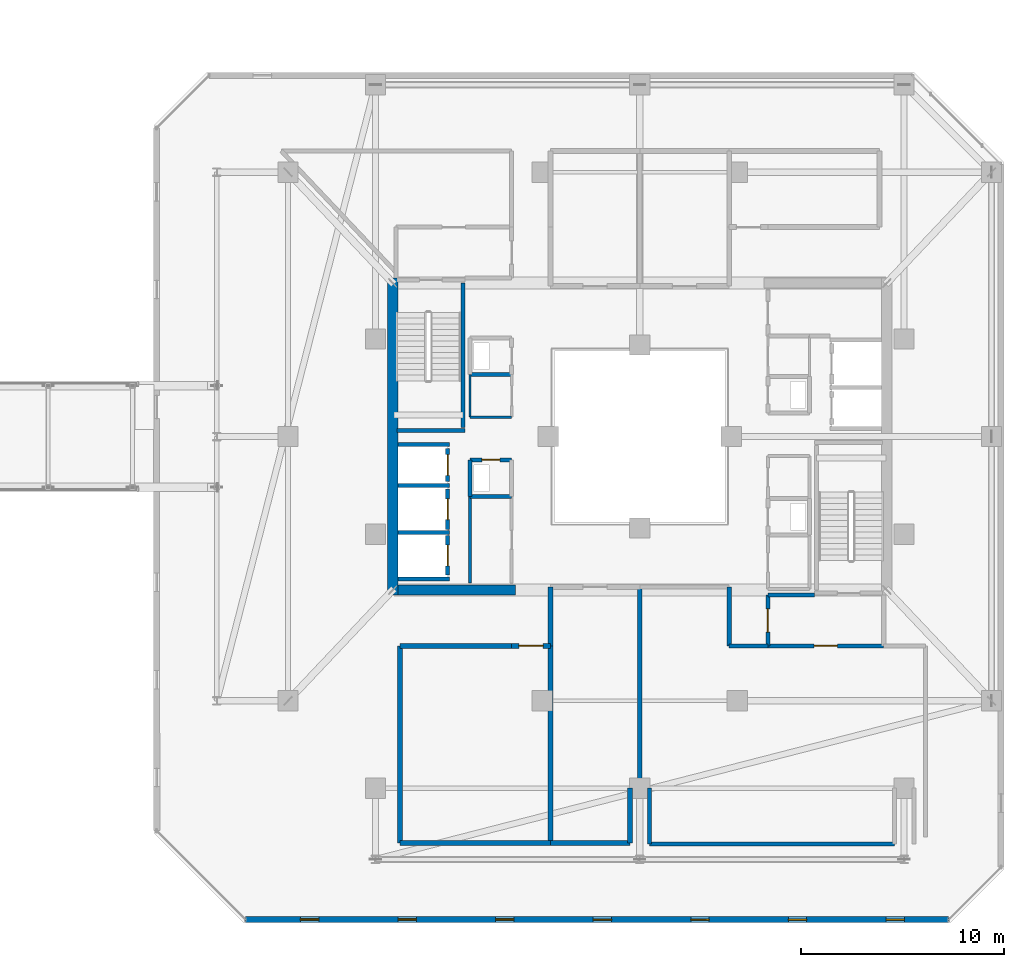
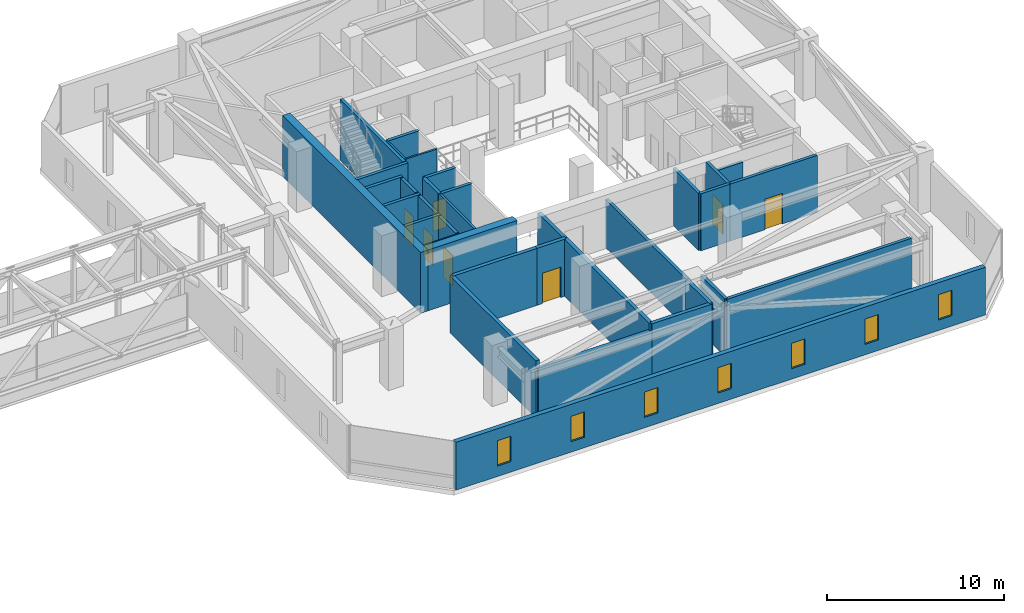
# One storey, part 37 of 42: 35 walls, 7 doors, 7 windows, 14 openings.
"""IFC4 building model written with IfcOpenShell, lengths in metres."""

import ifcopenshell
import ifcopenshell.guid

model = None  # the IFC model being written
_history = None  # IfcOwnerHistory: only IFC2X3 demands one
_inside = {}  # id of a spatial element -> (the spatial element, [elements in it])
_under = {}  # id of a project, library or spatial element -> (it, [spatial elements below it])
_declared = {}  # id of a project -> (the project, [libraries it declares])
_typed = {}  # id of a type object -> (the type object, [elements of that type])
_made_of = {}  # id of a material, layer set ... -> (it, [elements and type objects made of it])


def new_model(schema):
    """Start an empty IFC model of exactly this schema.

    Asked for "IFC4X3", IfcOpenShell would pick the latest addendum, in which some entities
    have other attributes; the version numbers below select the first issue.
    IFC2X3 requires an IfcOwnerHistory on every rooted entity: one is made here for all.
    """
    global model, _history
    if schema == "IFC4X3":
        model = ifcopenshell.file(schema_version=(4, 3, 0, 0))
    else:
        model = ifcopenshell.file(schema=schema)
    _inside.clear()
    _under.clear()
    _declared.clear()
    _typed.clear()
    _made_of.clear()
    _history = None
    if model.schema == "IFC2X3":
        org = make("IfcOrganization", Name="unknown")
        user = make(
            "IfcPersonAndOrganization",
            ThePerson=make("IfcPerson", FamilyName="unknown"),
            TheOrganization=org,
        )
        app = make(
            "IfcApplication",
            ApplicationDeveloper=org,
            Version="unknown",
            ApplicationFullName="unknown",
            ApplicationIdentifier="unknown",
        )
        _history = make(
            "IfcOwnerHistory",
            OwningUser=user,
            OwningApplication=app,
            ChangeAction="ADDED",
            CreationDate=0,
        )
    return model


def make(cls, **values):
    """One entity of the class cls with the attributes given. An attribute that is None is left unset."""
    return model.create_entity(
        cls, **{name: value for name, value in values.items() if value is not None}
    )


def rooted(cls, **values):
    """An entity with a GlobalId (a new one), such as an element, a storey or a relation."""
    return make(cls, GlobalId=ifcopenshell.guid.new(), OwnerHistory=_history, **values)


def si_unit(unit_type, name, prefix=None):
    """IfcSIUnit, for example si_unit("LENGTHUNIT", "METRE", prefix="MILLI")."""
    return make("IfcSIUnit", UnitType=unit_type, Prefix=prefix, Name=name)


def assignment(units):
    """IfcUnitAssignment: the units of a project."""
    return None if units is None else make("IfcUnitAssignment", Units=units)


def point(xyz):
    """IfcCartesianPoint."""
    return None if xyz is None else make("IfcCartesianPoint", Coordinates=xyz)


def direction(xyz):
    """IfcDirection."""
    return None if xyz is None else make("IfcDirection", DirectionRatios=xyz)


def frame(location, z_axis=None, x_axis=None):
    """IfcAxis2Placement3D, a coordinate frame: its origin and axes. An axis left out is left unset."""
    return make(
        "IfcAxis2Placement3D",
        Location=point(location),
        Axis=direction(z_axis),
        RefDirection=direction(x_axis),
    )


def frame_2d(location, x_axis=None):
    """IfcAxis2Placement2D, a coordinate frame in the plane: its origin and x axis."""
    return make(
        "IfcAxis2Placement2D", Location=point(location), RefDirection=direction(x_axis)
    )


def origin():
    """The frame at (0, 0, 0) with its axes left unset."""
    return frame((0.0, 0.0, 0.0))


def place(relative_to, where):
    """IfcLocalPlacement: puts the frame where relative to a parent placement (None: the world)."""
    return make(
        "IfcLocalPlacement", PlacementRelTo=relative_to, RelativePlacement=where
    )


def context(
    kind, dimensions, precision=None, world=None, true_north=None, identifier=None
):
    """IfcGeometricRepresentationContext, for example the 3D "Model" context."""
    return make(
        "IfcGeometricRepresentationContext",
        ContextIdentifier=identifier,
        ContextType=kind,
        CoordinateSpaceDimension=dimensions,
        Precision=precision,
        WorldCoordinateSystem=world,
        TrueNorth=true_north,
    )


def subcontext(parent, identifier, kind, view, scale=None):
    """IfcGeometricRepresentationSubContext, for example "Body" below "Model"."""
    return make(
        "IfcGeometricRepresentationSubContext",
        ContextIdentifier=identifier,
        ContextType=kind,
        ParentContext=parent,
        TargetScale=scale,
        TargetView=view,
    )


def project(units=None, contexts=None):
    """IfcProject with its units and contexts."""
    return rooted(
        "IfcProject",
        Name="project",
        RepresentationContexts=contexts,
        UnitsInContext=assignment(units),
    )


def spatial(cls, under=None, at=None, **own):
    """A site, building, storey or space (cls), placed at a placement, below another one or the project."""
    s = rooted(cls, ObjectPlacement=at, **own)
    if under is not None:
        _under.setdefault(under.id(), (under, []))[1].append(s)
    return s


def profile(cls, at=None, kind="AREA", **sizes):
    """A parametric profile (cls). Its sizes go by their IFC names, for example OverallWidth=200.0."""
    return make(cls, ProfileType=kind, Position=at, **sizes)


def rectangle(**sizes):
    """IfcRectangleProfileDef."""
    return profile("IfcRectangleProfileDef", **sizes)


def extrude(swept, where, along, depth):
    """IfcExtrudedAreaSolid: the profile swept, set in the frame where, extruded along a direction by depth."""
    return make(
        "IfcExtrudedAreaSolid",
        SweptArea=swept,
        Position=where,
        ExtrudedDirection=direction(along),
        Depth=depth,
    )


def shape(context_of_items, identifier, shape_type, items):
    """IfcShapeRepresentation: the items that make up one representation, for example the "Body"."""
    return make(
        "IfcShapeRepresentation",
        ContextOfItems=context_of_items,
        RepresentationIdentifier=identifier,
        RepresentationType=shape_type,
        Items=items,
    )


def material(Name=None, Category=None):
    """IfcMaterial."""
    return make("IfcMaterial", Name=Name, Category=Category)


def layer(
    of_material, thickness, ventilated=None, Name=None, Category=None, Priority=None
):
    """IfcMaterialLayer: one layer of a wall or slab, of a material (None: an air gap)."""
    return make(
        "IfcMaterialLayer",
        Material=of_material,
        LayerThickness=thickness,
        IsVentilated=ventilated,
        Name=Name,
        Category=Category,
        Priority=Priority,
    )


def layer_set(layers, Name=None):
    """IfcMaterialLayerSet."""
    return make("IfcMaterialLayerSet", MaterialLayers=layers, LayerSetName=Name)


def made_of(thing, what):
    """Note that an element or type object is made of a material, layer set ...; save() writes the relation."""
    if what is not None:
        _made_of.setdefault(what.id(), (what, []))[1].append(thing)
    return thing


def type_object(cls, material=None, **own):
    """A type object (cls), such as IfcWallType, which elements share."""
    return made_of(rooted(cls, **own), material)


def element(
    cls,
    number,
    at=None,
    inside=None,
    cuts=None,
    type_object=None,
    material=None,
    context=None,
    identifier="Body",
    shape_type=None,
    held_by="IfcProductDefinitionShape",
    body=None,
    shapes=None,
    **own,
):
    """One element of the class cls, such as IfcWall. Its Tag is "e" and its number.

    at: its placement. inside: the storey or other place that contains it. cuts: it is an
    opening in that element (IfcRelVoidsElement). A single representation is given by context,
    identifier, shape_type and body (its items); several are given by shapes. held_by: the class
    of the entity that holds the representations. save() writes the other relations.
    """
    e = rooted(cls, Tag="e%d" % number, ObjectPlacement=at, **own)
    if body is not None:
        shapes = [shape(context, identifier, shape_type, body)]
    if shapes is not None:
        e.Representation = make(held_by, Representations=shapes)
    if inside is not None:
        _inside.setdefault(inside.id(), (inside, []))[1].append(e)
    if cuts is not None:
        rooted(
            "IfcRelVoidsElement", RelatingBuildingElement=cuts, RelatedOpeningElement=e
        )
    if type_object is not None:
        _typed.setdefault(type_object.id(), (type_object, []))[1].append(e)
    return made_of(e, material)


def fill(opening, filler):
    """IfcRelFillsElement: the door or window that sits in an opening."""
    return rooted(
        "IfcRelFillsElement",
        RelatingOpeningElement=opening,
        RelatedBuildingElement=filler,
    )


def aggregate(whole, parts):
    """IfcRelAggregates: a whole, such as a stair, and the parts it consists of."""
    return rooted("IfcRelAggregates", RelatingObject=whole, RelatedObjects=parts)


def save(model, path):
    """Write the relations noted so far, then the file.

    IfcRelAggregates (storeys below a building ...), IfcRelContainedInSpatialStructure (elements
    in a storey), IfcRelDefinesByType, IfcRelAssociatesMaterial and IfcRelDeclares: one each for
    every whole, place, type object, material and project.
    """
    for whole, parts in _under.values():
        aggregate(whole, parts)
    for where, things in _inside.values():
        rooted(
            "IfcRelContainedInSpatialStructure",
            RelatedElements=things,
            RelatingStructure=where,
        )
    for kind, things in _typed.values():
        rooted("IfcRelDefinesByType", RelatedObjects=things, RelatingType=kind)
    for what, things in _made_of.values():
        rooted("IfcRelAssociatesMaterial", RelatedObjects=things, RelatingMaterial=what)
    for by, libraries in _declared.values():
        rooted("IfcRelDeclares", RelatingContext=by, RelatedDefinitions=libraries)
    model.write(path)


model = new_model("IFC4")

# Units and contexts
model_context = context("Model", 3, precision=1e-05, world=origin(), true_north=direction((0.0, 1.0)))
body_context = subcontext(model_context, "Body", "Model", "MODEL_VIEW")
ifc_project = project(units=[si_unit("LENGTHUNIT", "METRE"), si_unit("AREAUNIT", "SQUARE_METRE"), si_unit("VOLUMEUNIT", "CUBIC_METRE"), si_unit("PLANEANGLEUNIT", "RADIAN"), si_unit("MASSUNIT", "GRAM", prefix="KILO")], contexts=[model_context])

# Site, building, storey
site_placement = place(None, origin())
site = spatial("IfcSite", under=ifc_project, at=site_placement, CompositionType="ELEMENT")
building_placement = place(site_placement, origin())
building = spatial("IfcBuilding", under=site, at=building_placement, Name="Thornwick Lancets Civic Towers", CompositionType="ELEMENT")
storey_placement = place(building_placement, frame((0.0, 0.0, 221.699951171875)))
storey = spatial("IfcBuildingStorey", under=building, at=storey_placement, Name="L59", CompositionType="ELEMENT", Elevation=221.699951171875)

# Wall, opening, door
ifc_material_1 = material(Name="Concrete blockwork C40/50", Category="masonry")
ifc_layer_1 = layer(ifc_material_1, 0.199951171875, Name="Concrete blockwork C40/50")
ifc_layer_set_1 = layer_set([ifc_layer_1], Name="Concrete blockwork C40/50")
wall_type_1 = type_object("IfcWallType", Name="WALL_COMP_200", PredefinedType="STANDARD", material=ifc_layer_set_1)
wall_1_placement = place(storey_placement, frame((79.050048828125, 24.780029296875, 0.0), z_axis=(0.0, 0.0, 1.0), x_axis=(0.0, 1.0, 0.0)))
wall_1 = element("IfcWall", 1, at=wall_1_placement, inside=storey, type_object=wall_type_1, Name="L59 Hoistway Front Wall FL-B2", PredefinedType="STANDARD", context=body_context, shape_type="SweptSolid", body=[
    extrude(rectangle(XDim=1.639892578125, YDim=0.199951171875, at=frame_2d((0.81982421875, 0.0))), origin(), (0.0, 0.0, 1.0), 3.93994140625),
])
opening_1_placement = place(wall_1_placement, frame((0.31005859375, 0.0, 0.0)))
opening_1 = element("IfcOpeningElement", 2, at=opening_1_placement, cuts=wall_1, Name="Opening LD-FL-B2", PredefinedType="OPENING", context=body_context, shape_type="SweptSolid", body=[
    extrude(rectangle(XDim=1.02001953125, YDim=2.06005859375, at=frame_2d((0.510009765625, 1.030029296875))), frame((0.0, 0.10986328125, 0.0), z_axis=(0.0, -1.0, 0.0), x_axis=(1.0, 0.0, 0.0)), (0.0, 0.0, 1.0), 0.219970703125),
])
ifc_material_2 = material(Name="Brushed bronze stainless steel", Category="steel")
door_type_1 = type_object("IfcDoorType", Name="DOOR_LIFT_SLIDE", OperationType="SLIDING_TO_LEFT", PredefinedType="DOOR", material=ifc_material_2)
door_1_placement = place(opening_1_placement, origin())
door_1 = element("IfcDoor", 3, at=door_1_placement, inside=storey, type_object=door_type_1, Name="L59 Sliding Lift Landing Door LD-FL-B2", OperationType="SLIDING_TO_LEFT", OverallHeight=2.06005859375, OverallWidth=1.02001953125, PredefinedType="DOOR", context=body_context, shape_type="SweptSolid", body=[
    extrude(rectangle(XDim=1.02001953125, YDim=2.06005859375, at=frame_2d((0.510009765625, 1.030029296875))), frame((0.0, 0.02490234375, 0.0), z_axis=(0.0, -1.0, 0.0), x_axis=(1.0, 0.0, 0.0)), (0.0, 0.0, 1.0), 0.050048828125),
])
fill(opening_1, door_1)

wall_2_placement = place(storey_placement, frame((79.050048828125, 22.429931640625, 0.0), z_axis=(0.0, 0.0, 1.0), x_axis=(0.0, 1.0, 0.0)))
wall_2 = element("IfcWall", 4, at=wall_2_placement, inside=storey, type_object=wall_type_1, Name="L59 Hoistway Front Wall PL-BH2", PredefinedType="STANDARD", context=body_context, shape_type="SweptSolid", body=[
    extrude(rectangle(XDim=1.989990234375, YDim=0.199951171875, at=frame_2d((0.9951171875, 0.0))), origin(), (0.0, 0.0, 1.0), 3.93994140625),
])
opening_2_placement = place(wall_2_placement, frame((0.485107421875, 0.0, 0.0)))
opening_2 = element("IfcOpeningElement", 5, at=opening_2_placement, cuts=wall_2, Name="Opening LD-PL-BH2", PredefinedType="OPENING", context=body_context, shape_type="SweptSolid", body=[
    extrude(rectangle(XDim=1.02001953125, YDim=2.06005859375, at=frame_2d((0.510009765625, 1.030029296875))), frame((0.0, 0.10986328125, 0.0), z_axis=(0.0, -1.0, 0.0), x_axis=(1.0, 0.0, 0.0)), (0.0, 0.0, 1.0), 0.219970703125),
])
door_2_placement = place(opening_2_placement, origin())
door_2 = element("IfcDoor", 6, at=door_2_placement, inside=storey, type_object=door_type_1, Name="L59 Sliding Lift Landing Door LD-PL-BH2", OperationType="SLIDING_TO_LEFT", OverallHeight=2.06005859375, OverallWidth=1.02001953125, PredefinedType="DOOR", context=body_context, shape_type="SweptSolid", body=[
    extrude(rectangle(XDim=1.02001953125, YDim=2.06005859375, at=frame_2d((0.510009765625, 1.030029296875))), frame((0.0, 0.02490234375, 0.0), z_axis=(0.0, -1.0, 0.0), x_axis=(1.0, 0.0, 0.0)), (0.0, 0.0, 1.0), 0.050048828125),
])
fill(opening_2, door_2)

wall_3_placement = place(storey_placement, frame((79.050048828125, 20.179931640625, 0.0), z_axis=(0.0, 0.0, 1.0), x_axis=(0.0, 1.0, 0.0)))
wall_3 = element("IfcWall", 7, at=wall_3_placement, inside=storey, type_object=wall_type_1, Name="L59 Hoistway Front Wall PL-BH3", PredefinedType="STANDARD", context=body_context, shape_type="SweptSolid", body=[
    extrude(rectangle(XDim=1.940185546875, YDim=0.199951171875, at=frame_2d((0.97021484375, 0.0))), origin(), (0.0, 0.0, 1.0), 3.93994140625),
])
opening_3_placement = place(wall_3_placement, frame((0.4599609375, 0.0, 0.0)))
opening_3 = element("IfcOpeningElement", 8, at=opening_3_placement, cuts=wall_3, Name="Opening LD-PL-BH3", PredefinedType="OPENING", context=body_context, shape_type="SweptSolid", body=[
    extrude(rectangle(XDim=1.02001953125, YDim=2.06005859375, at=frame_2d((0.510009765625, 1.030029296875))), frame((0.0, 0.10986328125, 0.0), z_axis=(0.0, -1.0, 0.0), x_axis=(1.0, 0.0, 0.0)), (0.0, 0.0, 1.0), 0.219970703125),
])
door_3_placement = place(opening_3_placement, origin())
door_3 = element("IfcDoor", 9, at=door_3_placement, inside=storey, type_object=door_type_1, Name="L59 Sliding Lift Landing Door LD-PL-BH3", OperationType="SLIDING_TO_LEFT", OverallHeight=2.06005859375, OverallWidth=1.02001953125, PredefinedType="DOOR", context=body_context, shape_type="SweptSolid", body=[
    extrude(rectangle(XDim=1.02001953125, YDim=2.06005859375, at=frame_2d((0.510009765625, 1.030029296875))), frame((0.0, 0.02490234375, 0.0), z_axis=(0.0, -1.0, 0.0), x_axis=(1.0, 0.0, 0.0)), (0.0, 0.0, 1.0), 0.050048828125),
])
fill(opening_3, door_3)

# Walls
for number, where, z_axis, x_axis, name in (
    (10, (76.612060546875, 26.60009765625, 0.0), (0.0, 0.0, 1.0), (1.0, 0.0, 0.0), "L59 Hoistway Shaft Wall FL-B2 N"),
    (11, (76.612060546875, 24.60009765625, 0.0), (0.0, 0.0, 1.0), (1.0, 0.0, 0.0), "L59 Hoistway Shaft Wall FL-B2 S"),
    (12, (76.612060546875, 22.27490234375, 0.0), (0.0, 0.0, 1.0), (1.0, 0.0, 0.0), "L59 Hoistway Shaft Wall PL-BH2 S"),
    (13, (76.612060546875, 20.0, 0.0), (0.0, 0.0, 1.0), (1.0, 0.0, 0.0), "L59 Hoistway Shaft Wall PL-BH3 S"),
):
    element("IfcWall", number, at=place(storey_placement, frame(where, z_axis=z_axis, x_axis=x_axis)), inside=storey, type_object=wall_type_1, Name=name, PredefinedType="STANDARD", context=body_context, shape_type="SweptSolid", body=[
        extrude(rectangle(XDim=2.535888671875, YDim=0.199951171875, at=frame_2d((1.26806640625, 0.0))), origin(), (0.0, 0.0, 1.0), 3.93994140625),
    ])

# Wall, opening, door
wall_4_placement = place(storey_placement, frame((94.800048828125, 16.699951171875, 0.0), z_axis=(0.0, 0.0, 1.0), x_axis=(1.0, 0.0, 0.0)))
wall_4 = element("IfcWall", 14, at=wall_4_placement, inside=storey, type_object=wall_type_1, Name="L59 Partition L59-B-FFLOB1 E1", PredefinedType="STANDARD", context=body_context, shape_type="SweptSolid", body=[
    extrude(rectangle(XDim=5.699951171875, YDim=0.199951171875, at=frame_2d((2.85009765625, 0.0))), origin(), (0.0, 0.0, 1.0), 3.93994140625),
])
opening_4_placement = place(wall_4_placement, frame((2.27490234375, 0.0, 0.0)))
opening_4 = element("IfcOpeningElement", 15, at=opening_4_placement, cuts=wall_4, Name="Opening D-L59-2672", PredefinedType="OPENING", context=body_context, shape_type="SweptSolid", body=[
    extrude(rectangle(XDim=1.14990234375, YDim=2.10009765625, at=frame_2d((0.574951171875, 1.050048828125))), frame((0.0, 0.10986328125, 0.0), z_axis=(0.0, -1.0, 0.0), x_axis=(1.0, 0.0, 0.0)), (0.0, 0.0, 1.0), 0.219970703125),
])
ifc_material_3 = material(Name="Glazed fire-resisting steel", Category="steel")
door_type_2 = type_object("IfcDoorType", Name="DOOR_LOBBY_FD60", OperationType="NOTDEFINED", PredefinedType="DOOR", material=ifc_material_3)
door_4_placement = place(opening_4_placement, origin())
door_4 = element("IfcDoor", 16, at=door_4_placement, inside=storey, type_object=door_type_2, Name="L59 Tower B Refuge Holding Area 1 Door", OperationType="SINGLE_SWING_LEFT", OverallHeight=2.10009765625, OverallWidth=1.14990234375, PredefinedType="DOOR", context=body_context, shape_type="SweptSolid", body=[
    extrude(rectangle(XDim=1.14990234375, YDim=2.10009765625, at=frame_2d((0.574951171875, 1.050048828125))), frame((0.0, 0.02490234375, 0.0), z_axis=(0.0, -1.0, 0.0), x_axis=(1.0, 0.0, 0.0)), (0.0, 0.0, 1.0), 0.050048828125),
])
fill(opening_4, door_4)

# Wall
wall_5_placement = place(storey_placement, frame((97.10009765625, 19.199951171875, 0.0), z_axis=(0.0, 0.0, 1.0), x_axis=(-1.0, 0.0, 0.0)))
element("IfcWall", 17, at=wall_5_placement, inside=storey, type_object=wall_type_1, Name="L59 Partition L59-B-FFLOB1 E3", PredefinedType="STANDARD", context=body_context, shape_type="SweptSolid", body=[
    extrude(rectangle(XDim=2.300048828125, YDim=0.199951171875, at=frame_2d((1.14990234375, 0.0))), origin(), (0.0, 0.0, 1.0), 3.14501953125),
])

# Wall, opening, door
wall_6_placement = place(storey_placement, frame((94.800048828125, 19.199951171875, 0.0), z_axis=(0.0, 0.0, 1.0), x_axis=(0.0, -1.0, 0.0)))
wall_6 = element("IfcWall", 18, at=wall_6_placement, inside=storey, type_object=wall_type_1, Name="L59 Partition L59-B-FFLOB1 E4", PredefinedType="STANDARD", context=body_context, shape_type="SweptSolid", body=[
    extrude(rectangle(XDim=2.5, YDim=0.199951171875, at=frame_2d((1.25, 0.0))), origin(), (0.0, 0.0, 1.0), 3.93994140625),
])
opening_5_placement = place(wall_6_placement, frame((0.675048828125, 0.0, 0.0)))
opening_5 = element("IfcOpeningElement", 19, at=opening_5_placement, cuts=wall_6, Name="Opening D-L59-2651", PredefinedType="OPENING", context=body_context, shape_type="SweptSolid", body=[
    extrude(rectangle(XDim=1.14990234375, YDim=2.10009765625, at=frame_2d((0.574951171875, 1.050048828125))), frame((0.0, 0.10986328125, 0.0), z_axis=(0.0, -1.0, 0.0), x_axis=(1.0, 0.0, 0.0)), (0.0, 0.0, 1.0), 0.219970703125),
])
door_5_placement = place(opening_5_placement, origin())
door_5 = element("IfcDoor", 20, at=door_5_placement, inside=storey, type_object=door_type_2, Name="L59 East Firefighting Lobby 1 Door", OperationType="SINGLE_SWING_RIGHT", OverallHeight=2.10009765625, OverallWidth=1.14990234375, PredefinedType="DOOR", context=body_context, shape_type="SweptSolid", body=[
    extrude(rectangle(XDim=1.14990234375, YDim=2.10009765625, at=frame_2d((0.574951171875, 1.050048828125))), frame((0.0, 0.02490234375, 0.0), z_axis=(0.0, -1.0, 0.0), x_axis=(1.0, 0.0, 0.0)), (0.0, 0.0, 1.0), 0.050048828125),
])
fill(opening_5, door_5)

# Wall
wall_7_placement = place(storey_placement, frame((80.14990234375, 24.050048828125, 0.0), z_axis=(0.0, 0.0, 1.0), x_axis=(1.0, 0.0, 0.0)))
element("IfcWall", 21, at=wall_7_placement, inside=storey, type_object=wall_type_1, Name="L59 Partition L59-B-DUCT2 E1", PredefinedType="STANDARD", context=body_context, shape_type="SweptSolid", body=[
    extrude(rectangle(XDim=2.050048828125, YDim=0.199951171875, at=frame_2d((1.02490234375, 0.0))), origin(), (0.0, 0.0, 1.0), 3.93994140625),
])

# Wall, opening, door
wall_8_placement = place(storey_placement, frame((82.199951171875, 25.85009765625, 0.0), z_axis=(0.0, 0.0, 1.0), x_axis=(-1.0, 0.0, 0.0)))
wall_8 = element("IfcWall", 22, at=wall_8_placement, inside=storey, type_object=wall_type_1, Name="L59 Partition L59-B-DUCT2 E3", PredefinedType="STANDARD", context=body_context, shape_type="SweptSolid", body=[
    extrude(rectangle(XDim=2.050048828125, YDim=0.199951171875, at=frame_2d((1.02490234375, 0.0))), origin(), (0.0, 0.0, 1.0), 3.93994140625),
])
opening_6_placement = place(wall_8_placement, frame((0.5849609375, 0.0, 0.0)))
opening_6 = element("IfcOpeningElement", 23, at=opening_6_placement, cuts=wall_8, Name="Opening D-L59-2655", PredefinedType="OPENING", context=body_context, shape_type="SweptSolid", body=[
    extrude(rectangle(XDim=0.8798828125, YDim=2.0400390625, at=frame_2d((0.43994140625, 1.02001953125))), frame((0.0, 0.10986328125, 0.0), z_axis=(0.0, -1.0, 0.0), x_axis=(1.0, 0.0, 0.0)), (0.0, 0.0, 1.0), 0.219970703125),
])
ifc_material_4 = material(Name="Steel riser access doorset", Category="steel")
door_type_3 = type_object("IfcDoorType", Name="DOOR_RISER_850", OperationType="NOTDEFINED", PredefinedType="DOOR", material=ifc_material_4)
door_6_placement = place(opening_6_placement, origin())
door_6 = element("IfcDoor", 24, at=door_6_placement, inside=storey, type_object=door_type_3, Name="L59 West Service Duct 2 Door", OperationType="SINGLE_SWING_RIGHT", OverallHeight=2.0400390625, OverallWidth=0.8798828125, PredefinedType="DOOR", context=body_context, shape_type="SweptSolid", body=[
    extrude(rectangle(XDim=0.8798828125, YDim=2.0400390625, at=frame_2d((0.43994140625, 1.02001953125))), frame((0.0, 0.02490234375, 0.0), z_axis=(0.0, -1.0, 0.0), x_axis=(1.0, 0.0, 0.0)), (0.0, 0.0, 1.0), 0.050048828125),
])
fill(opening_6, door_6)

# Walls
wall_9_placement = place(storey_placement, frame((80.14990234375, 25.85009765625, 0.0), z_axis=(0.0, 0.0, 1.0), x_axis=(0.0, -1.0, 0.0)))
element("IfcWall", 25, at=wall_9_placement, inside=storey, type_object=wall_type_1, Name="L59 Partition L59-B-DUCT2 E4", PredefinedType="STANDARD", context=body_context, shape_type="SweptSolid", body=[
    extrude(rectangle(XDim=1.800048828125, YDim=0.199951171875, at=frame_2d((0.89990234375, 0.0))), origin(), (0.0, 0.0, 1.0), 3.93994140625),
])
wall_10_placement = place(storey_placement, frame((80.14990234375, 30.050048828125, 0.0), z_axis=(0.0, 0.0, 1.0), x_axis=(1.0, 0.0, 0.0)))
element("IfcWall", 26, at=wall_10_placement, inside=storey, type_object=wall_type_1, Name="L59 Partition L59-B-RISER2 E1", PredefinedType="STANDARD", context=body_context, shape_type="SweptSolid", body=[
    extrude(rectangle(XDim=2.050048828125, YDim=0.199951171875, at=frame_2d((1.02490234375, 0.0))), origin(), (0.0, 0.0, 1.0), 3.93994140625),
])
wall_11_placement = place(storey_placement, frame((92.89990234375, 19.60009765625, 0.0), z_axis=(0.0, 0.0, 1.0), x_axis=(0.0, -1.0, 0.0)))
element("IfcWall", 27, at=wall_11_placement, inside=storey, type_object=wall_type_1, Name="L59 Partition L59-B-REF1 E1", PredefinedType="STANDARD", context=body_context, shape_type="SweptSolid", body=[
    extrude(rectangle(XDim=2.900146484375, YDim=0.199951171875, at=frame_2d((1.4501953125, 0.0))), origin(), (0.0, 0.0, 1.0), 3.93994140625),
])
wall_12_placement = place(storey_placement, frame((92.89990234375, 16.699951171875, 0.0), z_axis=(0.0, 0.0, 1.0), x_axis=(1.0, 0.0, 0.0)))
element("IfcWall", 28, at=wall_12_placement, inside=storey, type_object=wall_type_1, Name="L59 Partition L59-B-REF1 E2", PredefinedType="STANDARD", context=body_context, shape_type="SweptSolid", body=[
    extrude(rectangle(XDim=1.900146484375, YDim=0.199951171875, at=frame_2d((0.9501953125, 0.0))), origin(), (0.0, 0.0, 1.0), 3.93994140625),
])
wall_13_placement = place(storey_placement, frame((101.02001953125, 6.949951171875, 0.0), z_axis=(0.0, 0.0, 1.0), x_axis=(-1.0, 0.0, 0.0)))
element("IfcWall", 29, at=wall_13_placement, inside=storey, type_object=wall_type_1, Name="L59 Partition L59-B-REF1 E11", PredefinedType="STANDARD", context=body_context, shape_type="SweptSolid", body=[
    extrude(rectangle(XDim=12.0400390625, YDim=0.199951171875, at=frame_2d((6.02001953125, 0.0))), origin(), (0.0, 0.0, 1.0), 3.93994140625),
])
wall_14_placement = place(storey_placement, frame((88.97998046875, 6.949951171875, 0.0), z_axis=(0.0, 0.0, 1.0), x_axis=(0.0, 1.0, 0.0)))
element("IfcWall", 30, at=wall_14_placement, inside=storey, type_object=wall_type_1, Name="L59 Partition L59-B-REF1 E12", PredefinedType="STANDARD", context=body_context, shape_type="SweptSolid", body=[
    extrude(rectangle(XDim=2.75, YDim=0.199951171875, at=frame_2d((1.375, 0.0))), origin(), (0.0, 0.0, 1.0), 3.93994140625),
])
wall_15_placement = place(storey_placement, frame((88.5, 9.699951171875, 0.0), z_axis=(0.0, 0.0, 1.0), x_axis=(0.0, 1.0, 0.0)))
element("IfcWall", 31, at=wall_15_placement, inside=storey, type_object=wall_type_1, Name="L59 Partition L59-B-REF1 E14", PredefinedType="STANDARD", context=body_context, shape_type="SweptSolid", body=[
    extrude(rectangle(XDim=9.900146484375, YDim=0.199951171875, at=frame_2d((4.9501953125, 0.0))), origin(), (0.0, 0.0, 1.0), 3.324951171875),
])
ifc_layer_2 = layer(ifc_material_1, 0.239990234375, Name="Concrete blockwork C40/50")
ifc_layer_set_2 = layer_set([ifc_layer_2], Name="Concrete blockwork C40/50")
wall_type_2 = type_object("IfcWallType", Name="WALL_COMP_240", PredefinedType="STANDARD", material=ifc_layer_set_2)
wall_16_placement = place(storey_placement, frame((84.10009765625, 16.699951171875, 0.0), z_axis=(0.0, 0.0, 1.0), x_axis=(0.0, 1.0, 0.0)))
element("IfcWall", 32, at=wall_16_placement, inside=storey, type_object=wall_type_2, Name="L59 Partition L59-B-PL-AHU E1", PredefinedType="STANDARD", context=body_context, shape_type="SweptSolid", body=[
    extrude(rectangle(XDim=2.900146484375, YDim=0.239990234375, at=frame_2d((1.4501953125, 0.0))), origin(), (0.0, 0.0, 1.0), 3.93994140625),
])
wall_17_placement = place(storey_placement, frame((88.02001953125, 9.699951171875, 0.0), z_axis=(0.0, 0.0, 1.0), x_axis=(0.0, -1.0, 0.0)))
element("IfcWall", 33, at=wall_17_placement, inside=storey, type_object=wall_type_2, Name="L59 Partition L59-B-PL-AHU E5", PredefinedType="STANDARD", context=body_context, shape_type="SweptSolid", body=[
    extrude(rectangle(XDim=2.699951171875, YDim=0.239990234375, at=frame_2d((1.35009765625, 0.0))), origin(), (0.0, 0.0, 1.0), 3.93994140625),
])
wall_18_placement = place(storey_placement, frame((88.02001953125, 7.0, 0.0), z_axis=(0.0, 0.0, 1.0), x_axis=(-1.0, 0.0, 0.0)))
element("IfcWall", 34, at=wall_18_placement, inside=storey, type_object=wall_type_2, Name="L59 Partition L59-B-PL-AHU E6", PredefinedType="STANDARD", context=body_context, shape_type="SweptSolid", body=[
    extrude(rectangle(XDim=3.919921875, YDim=0.239990234375, at=frame_2d((1.9599609375, 0.0))), origin(), (0.0, 0.0, 1.0), 3.93994140625),
])
wall_19_placement = place(storey_placement, frame((84.10009765625, 7.0, 0.0), z_axis=(0.0, 0.0, 1.0), x_axis=(0.0, 1.0, 0.0)))
element("IfcWall", 35, at=wall_19_placement, inside=storey, type_object=wall_type_2, Name="L59 Partition L59-B-PL-AHU E7", PredefinedType="STANDARD", context=body_context, shape_type="SweptSolid", body=[
    extrude(rectangle(XDim=9.699951171875, YDim=0.239990234375, at=frame_2d((4.85009765625, 0.0))), origin(), (0.0, 0.0, 1.0), 3.93994140625),
])
wall_20_placement = place(storey_placement, frame((76.699951171875, 16.699951171875, 0.0), z_axis=(0.0, 0.0, 1.0), x_axis=(1.0, 0.0, 0.0)))
element("IfcWall", 36, at=wall_20_placement, inside=storey, type_object=wall_type_2, Name="L59 Partition L59-B-PL-ELC E1", PredefinedType="STANDARD", context=body_context, shape_type="SweptSolid", body=[
    extrude(rectangle(XDim=5.5, YDim=0.239990234375, at=frame_2d((2.75, 0.0))), origin(), (0.0, 0.0, 1.0), 3.93994140625),
])

# Wall, opening, door
wall_21_placement = place(storey_placement, frame((82.199951171875, 16.699951171875, 0.0), z_axis=(0.0, 0.0, 1.0), x_axis=(1.0, 0.0, 0.0)))
wall_21 = element("IfcWall", 37, at=wall_21_placement, inside=storey, type_object=wall_type_2, Name="L59 Partition L59-B-PL-ELC E2", PredefinedType="STANDARD", context=body_context, shape_type="SweptSolid", body=[
    extrude(rectangle(XDim=1.900146484375, YDim=0.239990234375, at=frame_2d((0.9501953125, 0.0))), origin(), (0.0, 0.0, 1.0), 3.93994140625),
])
opening_7_placement = place(wall_21_placement, frame((0.35009765625, 0.0, 0.0)))
opening_7 = element("IfcOpeningElement", 38, at=opening_7_placement, cuts=wall_21, Name="Opening D-L59-2676", PredefinedType="OPENING", context=body_context, shape_type="SweptSolid", body=[
    extrude(rectangle(XDim=1.199951171875, YDim=2.10009765625, at=frame_2d((0.60009765625, 1.050048828125))), frame((0.0, 0.1298828125, 0.0), z_axis=(0.0, -1.0, 0.0), x_axis=(1.0, 0.0, 0.0)), (0.0, 0.0, 1.0), 0.260009765625),
])
ifc_material_5 = material(Name="Steel plant room doorset", Category="steel")
door_type_4 = type_object("IfcDoorType", Name="DOOR_PLANT_1200", OperationType="NOTDEFINED", PredefinedType="DOOR", material=ifc_material_5)
door_7_placement = place(opening_7_placement, origin())
door_7 = element("IfcDoor", 39, at=door_7_placement, inside=storey, type_object=door_type_4, Name="L59 Tower B LV Switchgear Room Door", OperationType="SINGLE_SWING_LEFT", OverallHeight=2.10009765625, OverallWidth=1.199951171875, PredefinedType="DOOR", context=body_context, shape_type="SweptSolid", body=[
    extrude(rectangle(XDim=1.199951171875, YDim=2.10009765625, at=frame_2d((0.60009765625, 1.050048828125))), frame((0.0, 0.02490234375, 0.0), z_axis=(0.0, -1.0, 0.0), x_axis=(1.0, 0.0, 0.0)), (0.0, 0.0, 1.0), 0.050048828125),
])
fill(opening_7, door_7)

# Walls
wall_22_placement = place(storey_placement, frame((84.10009765625, 7.0, 0.0), z_axis=(0.0, 0.0, 1.0), x_axis=(-1.0, 0.0, 0.0)))
element("IfcWall", 40, at=wall_22_placement, inside=storey, type_object=wall_type_2, Name="L59 Partition L59-B-PL-ELC E4", PredefinedType="STANDARD", context=body_context, shape_type="SweptSolid", body=[
    extrude(rectangle(XDim=7.400146484375, YDim=0.239990234375, at=frame_2d((3.7001953125, 0.0))), origin(), (0.0, 0.0, 1.0), 3.445068359375),
])
wall_23_placement = place(storey_placement, frame((76.699951171875, 7.0, 0.0), z_axis=(0.0, 0.0, 1.0), x_axis=(0.0, 1.0, 0.0)))
element("IfcWall", 41, at=wall_23_placement, inside=storey, type_object=wall_type_2, Name="L59 Partition L59-B-PL-ELC E5", PredefinedType="STANDARD", context=body_context, shape_type="SweptSolid", body=[
    extrude(rectangle(XDim=9.699951171875, YDim=0.239990234375, at=frame_2d((4.85009765625, 0.0))), origin(), (0.0, 0.0, 1.0), 3.93994140625),
])
ifc_material_6 = material(Name="Concrete C50/60", Category="concrete")
ifc_layer_3 = layer(ifc_material_6, 0.5, Name="Concrete C50/60")
ifc_layer_set_3 = layer_set([ifc_layer_3], Name="Concrete C50/60")
wall_type_3 = type_object("IfcWallType", Name="WALL_CORE_500", PredefinedType="SHEAR", material=ifc_layer_set_3)
wall_24_placement = place(storey_placement, frame((76.35009765625, 19.199951171875, 0.0), z_axis=(0.0, 0.0, 1.0), x_axis=(0.0, 1.0, 0.0)))
element("IfcWall", 42, at=wall_24_placement, inside=storey, type_object=wall_type_3, Name="L59 Split Core B2 Shear Wall W", PredefinedType="SHEAR", context=body_context, shape_type="SweptSolid", body=[
    extrude(rectangle(XDim=15.60009765625, YDim=0.5, at=frame_2d((7.800048828125, 0.0))), origin(), (0.0, 0.0, 1.0), 4.199951171875),
])
wall_25_placement = place(storey_placement, frame((76.60009765625, 19.449951171875, 0.0), z_axis=(0.0, 0.0, 1.0), x_axis=(1.0, 0.0, 0.0)))
element("IfcWall", 43, at=wall_25_placement, inside=storey, type_object=wall_type_3, Name="L59 Split Core B2 Shear Wall S", PredefinedType="SHEAR", context=body_context, shape_type="SweptSolid", body=[
    extrude(rectangle(XDim=5.7998046875, YDim=0.5, at=frame_2d((2.89990234375, 0.0))), origin(), (0.0, 0.0, 1.0), 4.199951171875),
])

# Wall, openings, windows
ifc_material_7 = material(Name="Insulated russet terracotta rainscreen on concrete C40/50", Category="masonry")
ifc_layer_4 = layer(ifc_material_7, 0.300048828125, Name="Insulated russet terracotta rainscreen on concrete C40/50")
ifc_layer_set_4 = layer_set([ifc_layer_4], Name="Insulated russet terracotta rainscreen on concrete C40/50")
wall_type_4 = type_object("IfcWallType", Name="WALL_EXT_RUSSET_300", PredefinedType="STANDARD", material=ifc_layer_set_4)
wall_26_placement = place(storey_placement, frame((69.111572265625, 3.2412109375, 0.0), z_axis=(0.0, 0.0, 1.0), x_axis=(0.999999985636, -0.000169493917, 0.0)))
wall_26 = element("IfcWall", 44, at=wall_26_placement, inside=storey, type_object=wall_type_4, Name="L59 Tower B Terracotta Facade Wall E0", PredefinedType="STANDARD", context=body_context, shape_type="SweptSolid", body=[
    extrude(rectangle(XDim=34.56982421875, YDim=0.300048828125, at=frame_2d((17.284912109375, 0.0))), origin(), (0.0, 0.0, 1.0), 3.300048828125),
])
opening_8_placement = place(wall_26_placement, frame((2.699951171875, 0.0, 0.719970703125)))
opening_8 = element("IfcOpeningElement", 45, at=opening_8_placement, cuts=wall_26, Name="Opening WL-01", PredefinedType="OPENING", context=body_context, shape_type="SweptSolid", body=[
    extrude(rectangle(XDim=0.89990234375, YDim=1.75, at=frame_2d((0.449951171875, 0.875))), frame((0.0, 0.16015625, 0.0), z_axis=(0.0, -1.0, 0.0), x_axis=(1.0, 0.0, 0.0)), (0.0, 0.0, 1.0), 0.320068359375),
])
opening_9_placement = place(wall_26_placement, frame((7.5, 0.0, 0.719970703125)))
opening_9 = element("IfcOpeningElement", 46, at=opening_9_placement, cuts=wall_26, Name="Opening WL-01", PredefinedType="OPENING", context=body_context, shape_type="SweptSolid", body=[
    extrude(rectangle(XDim=0.89990234375, YDim=1.75, at=frame_2d((0.449951171875, 0.875))), frame((0.0, 0.16015625, 0.0), z_axis=(0.0, -1.0, 0.0), x_axis=(1.0, 0.0, 0.0)), (0.0, 0.0, 1.0), 0.320068359375),
])
opening_10_placement = place(wall_26_placement, frame((12.300048828125, 0.0, 0.719970703125)))
opening_10 = element("IfcOpeningElement", 47, at=opening_10_placement, cuts=wall_26, Name="Opening WL-01", PredefinedType="OPENING", context=body_context, shape_type="SweptSolid", body=[
    extrude(rectangle(XDim=0.89990234375, YDim=1.75, at=frame_2d((0.449951171875, 0.875))), frame((0.0, 0.16015625, 0.0), z_axis=(0.0, -1.0, 0.0), x_axis=(1.0, 0.0, 0.0)), (0.0, 0.0, 1.0), 0.320068359375),
])
opening_11_placement = place(wall_26_placement, frame((17.10009765625, 0.0, 0.719970703125)))
opening_11 = element("IfcOpeningElement", 48, at=opening_11_placement, cuts=wall_26, Name="Opening WL-01", PredefinedType="OPENING", context=body_context, shape_type="SweptSolid", body=[
    extrude(rectangle(XDim=0.89990234375, YDim=1.75, at=frame_2d((0.449951171875, 0.875))), frame((0.0, 0.16015625, 0.0), z_axis=(0.0, -1.0, 0.0), x_axis=(1.0, 0.0, 0.0)), (0.0, 0.0, 1.0), 0.320068359375),
])
opening_12_placement = place(wall_26_placement, frame((21.89990234375, 0.0, 0.719970703125)))
opening_12 = element("IfcOpeningElement", 49, at=opening_12_placement, cuts=wall_26, Name="Opening WL-01", PredefinedType="OPENING", context=body_context, shape_type="SweptSolid", body=[
    extrude(rectangle(XDim=0.89990234375, YDim=1.75, at=frame_2d((0.449951171875, 0.875))), frame((0.0, 0.16015625, 0.0), z_axis=(0.0, -1.0, 0.0), x_axis=(1.0, 0.0, 0.0)), (0.0, 0.0, 1.0), 0.320068359375),
])
opening_13_placement = place(wall_26_placement, frame((26.699951171875, 0.0, 0.719970703125)))
opening_13 = element("IfcOpeningElement", 50, at=opening_13_placement, cuts=wall_26, Name="Opening WL-01", PredefinedType="OPENING", context=body_context, shape_type="SweptSolid", body=[
    extrude(rectangle(XDim=0.89990234375, YDim=1.75, at=frame_2d((0.449951171875, 0.875))), frame((0.0, 0.16015625, 0.0), z_axis=(0.0, -1.0, 0.0), x_axis=(1.0, 0.0, 0.0)), (0.0, 0.0, 1.0), 0.320068359375),
])
opening_14_placement = place(wall_26_placement, frame((31.5, 0.0, 0.719970703125)))
opening_14 = element("IfcOpeningElement", 51, at=opening_14_placement, cuts=wall_26, Name="Opening WL-01", PredefinedType="OPENING", context=body_context, shape_type="SweptSolid", body=[
    extrude(rectangle(XDim=0.89990234375, YDim=1.75, at=frame_2d((0.449951171875, 0.875))), frame((0.0, 0.16015625, 0.0), z_axis=(0.0, -1.0, 0.0), x_axis=(1.0, 0.0, 0.0)), (0.0, 0.0, 1.0), 0.320068359375),
])
ifc_material_8 = material(Name="Clear low-e double glazing in bronze frame", Category="glass")
window_type = type_object("IfcWindowType", Name="WIN_LANCET_900", PartitioningType="SINGLE_PANEL", PredefinedType="WINDOW", material=ifc_material_8)
window_1_placement = place(opening_8_placement, origin())
window_1 = element("IfcWindow", 52, at=window_1_placement, inside=storey, type_object=window_type, Name="L59 Tower B Staggered Lancet Window E0-1", OverallHeight=1.75, OverallWidth=0.89990234375, PartitioningType="SINGLE_PANEL", PredefinedType="WINDOW", context=body_context, shape_type="SweptSolid", body=[
    extrude(rectangle(XDim=0.89990234375, YDim=1.75, at=frame_2d((0.449951171875, 0.875))), frame((0.0, 0.030029296875, 0.0), z_axis=(0.0, -1.0, 0.0), x_axis=(1.0, 0.0, 0.0)), (0.0, 0.0, 1.0), 0.06005859375),
])
fill(opening_8, window_1)
window_2_placement = place(opening_9_placement, origin())
window_2 = element("IfcWindow", 53, at=window_2_placement, inside=storey, type_object=window_type, Name="L59 Tower B Staggered Lancet Window E0-2", OverallHeight=1.75, OverallWidth=0.89990234375, PartitioningType="SINGLE_PANEL", PredefinedType="WINDOW", context=body_context, shape_type="SweptSolid", body=[
    extrude(rectangle(XDim=0.89990234375, YDim=1.75, at=frame_2d((0.449951171875, 0.875))), frame((0.0, 0.030029296875, 0.0), z_axis=(0.0, -1.0, 0.0), x_axis=(1.0, 0.0, 0.0)), (0.0, 0.0, 1.0), 0.06005859375),
])
fill(opening_9, window_2)
window_3_placement = place(opening_10_placement, origin())
window_3 = element("IfcWindow", 54, at=window_3_placement, inside=storey, type_object=window_type, Name="L59 Tower B Staggered Lancet Window E0-3", OverallHeight=1.75, OverallWidth=0.89990234375, PartitioningType="SINGLE_PANEL", PredefinedType="WINDOW", context=body_context, shape_type="SweptSolid", body=[
    extrude(rectangle(XDim=0.89990234375, YDim=1.75, at=frame_2d((0.449951171875, 0.875))), frame((0.0, 0.030029296875, 0.0), z_axis=(0.0, -1.0, 0.0), x_axis=(1.0, 0.0, 0.0)), (0.0, 0.0, 1.0), 0.06005859375),
])
fill(opening_10, window_3)
window_4_placement = place(opening_11_placement, origin())
window_4 = element("IfcWindow", 55, at=window_4_placement, inside=storey, type_object=window_type, Name="L59 Tower B Staggered Lancet Window E0-4", OverallHeight=1.75, OverallWidth=0.89990234375, PartitioningType="SINGLE_PANEL", PredefinedType="WINDOW", context=body_context, shape_type="SweptSolid", body=[
    extrude(rectangle(XDim=0.89990234375, YDim=1.75, at=frame_2d((0.449951171875, 0.875))), frame((0.0, 0.030029296875, 0.0), z_axis=(0.0, -1.0, 0.0), x_axis=(1.0, 0.0, 0.0)), (0.0, 0.0, 1.0), 0.06005859375),
])
fill(opening_11, window_4)
window_5_placement = place(opening_12_placement, origin())
window_5 = element("IfcWindow", 56, at=window_5_placement, inside=storey, type_object=window_type, Name="L59 Tower B Staggered Lancet Window E0-5", OverallHeight=1.75, OverallWidth=0.89990234375, PartitioningType="SINGLE_PANEL", PredefinedType="WINDOW", context=body_context, shape_type="SweptSolid", body=[
    extrude(rectangle(XDim=0.89990234375, YDim=1.75, at=frame_2d((0.449951171875, 0.875))), frame((0.0, 0.030029296875, 0.0), z_axis=(0.0, -1.0, 0.0), x_axis=(1.0, 0.0, 0.0)), (0.0, 0.0, 1.0), 0.06005859375),
])
fill(opening_12, window_5)
window_6_placement = place(opening_13_placement, origin())
window_6 = element("IfcWindow", 57, at=window_6_placement, inside=storey, type_object=window_type, Name="L59 Tower B Staggered Lancet Window E0-6", OverallHeight=1.75, OverallWidth=0.89990234375, PartitioningType="SINGLE_PANEL", PredefinedType="WINDOW", context=body_context, shape_type="SweptSolid", body=[
    extrude(rectangle(XDim=0.89990234375, YDim=1.75, at=frame_2d((0.449951171875, 0.875))), frame((0.0, 0.030029296875, 0.0), z_axis=(0.0, -1.0, 0.0), x_axis=(1.0, 0.0, 0.0)), (0.0, 0.0, 1.0), 0.06005859375),
])
fill(opening_13, window_6)
window_7_placement = place(opening_14_placement, origin())
window_7 = element("IfcWindow", 58, at=window_7_placement, inside=storey, type_object=window_type, Name="L59 Tower B Staggered Lancet Window E0-7", OverallHeight=1.75, OverallWidth=0.89990234375, PartitioningType="SINGLE_PANEL", PredefinedType="WINDOW", context=body_context, shape_type="SweptSolid", body=[
    extrude(rectangle(XDim=0.89990234375, YDim=1.75, at=frame_2d((0.449951171875, 0.875))), frame((0.0, 0.030029296875, 0.0), z_axis=(0.0, -1.0, 0.0), x_axis=(1.0, 0.0, 0.0)), (0.0, 0.0, 1.0), 0.06005859375),
])
fill(opening_14, window_7)

# Walls
ifc_material_9 = material(Name="Acoustic gypsum board partition")
ifc_layer_5 = layer(ifc_material_9, 0.1201171875, Name="Acoustic gypsum board partition")
ifc_layer_set_5 = layer_set([ifc_layer_5], Name="Acoustic gypsum board partition")
wall_type_5 = type_object("IfcWallType", Name="WALL_PART_120", PredefinedType="PARTITIONING", material=ifc_layer_set_5)
wall_27_placement = place(storey_placement, frame((82.199951171875, 27.949951171875, 0.0), z_axis=(0.0, 0.0, 1.0), x_axis=(-1.0, 0.0, 0.0)))
element("IfcWall", 59, at=wall_27_placement, inside=storey, type_object=wall_type_5, Name="L59 Partition L59-B-ITR E1", PredefinedType="PARTITIONING", context=body_context, shape_type="SweptSolid", body=[
    extrude(rectangle(XDim=2.050048828125, YDim=0.1201171875, at=frame_2d((1.02490234375, 0.0))), origin(), (0.0, 0.0, 1.0), 3.93994140625),
])
wall_28_placement = place(storey_placement, frame((80.14990234375, 27.949951171875, 0.0), z_axis=(0.0, 0.0, 1.0), x_axis=(0.0, 1.0, 0.0)))
element("IfcWall", 60, at=wall_28_placement, inside=storey, type_object=wall_type_5, Name="L59 Partition L59-B-ITR E2", PredefinedType="PARTITIONING", context=body_context, shape_type="SweptSolid", body=[
    extrude(rectangle(XDim=2.10009765625, YDim=0.1201171875, at=frame_2d((1.050048828125, 0.0))), origin(), (0.0, 0.0, 1.0), 3.93994140625),
])
ifc_material_10 = material(Name="Twin-stud acoustic gypsum board")
ifc_layer_6 = layer(ifc_material_10, 0.14990234375, Name="Twin-stud acoustic gypsum board")
ifc_layer_set_6 = layer_set([ifc_layer_6], Name="Twin-stud acoustic gypsum board")
wall_type_6 = type_object("IfcWallType", Name="WALL_PART_150", PredefinedType="PARTITIONING", material=ifc_layer_set_6)
wall_29_placement = place(storey_placement, frame((80.14990234375, 19.800048828125, 0.0), z_axis=(0.0, 0.0, 1.0), x_axis=(0.0, 1.0, 0.0)))
element("IfcWall", 61, at=wall_29_placement, inside=storey, type_object=wall_type_6, Name="L59 Partition L59-B-FWC E2", PredefinedType="PARTITIONING", context=body_context, shape_type="SweptSolid", body=[
    extrude(rectangle(XDim=4.25, YDim=0.14990234375, at=frame_2d((2.125, 0.0))), origin(), (0.0, 0.0, 1.0), 3.93994140625),
])
ifc_material_11 = material(Name="Concrete C40/50", Category="concrete")
ifc_layer_7 = layer(ifc_material_11, 0.199951171875, Name="Concrete C40/50")
ifc_layer_set_7 = layer_set([ifc_layer_7], Name="Concrete C40/50")
wall_type_7 = type_object("IfcWallType", Name="WALL_SHAFT_200", PredefinedType="SHEAR", material=ifc_layer_set_7)
wall_30_placement = place(storey_placement, frame((79.89990234375, 27.300048828125, 0.0), z_axis=(0.0, 0.0, 1.0), x_axis=(-1.0, 0.0, 0.0)))
element("IfcWall", 62, at=wall_30_placement, inside=storey, type_object=wall_type_7, Name="L59 ST-B2 Fire Stair Core Wall FAR", PredefinedType="SHEAR", context=body_context, shape_type="SweptSolid", body=[
    extrude(rectangle(XDim=3.349853515625, YDim=0.199951171875, at=frame_2d((1.6748046875, 0.0))), origin(), (0.0, 0.0, 1.0), 4.199951171875),
])
wall_31_placement = place(storey_placement, frame((79.797119140625, 27.449951171875, 0.0), z_axis=(0.0, 0.0, 1.0), x_axis=(0.0, 1.0, 0.0)))
element("IfcWall", 63, at=wall_31_placement, inside=storey, type_object=wall_type_7, Name="L59 ST-B2 Fire Stair Core Wall RIGHT", PredefinedType="SHEAR", context=body_context, shape_type="SweptSolid", body=[
    extrude(rectangle(XDim=7.10009765625, YDim=0.199951171875, at=frame_2d((3.550048828125, 0.0))), origin(), (0.0, 0.0, 1.0), 4.199951171875),
])

save(model, "model.ifc")
